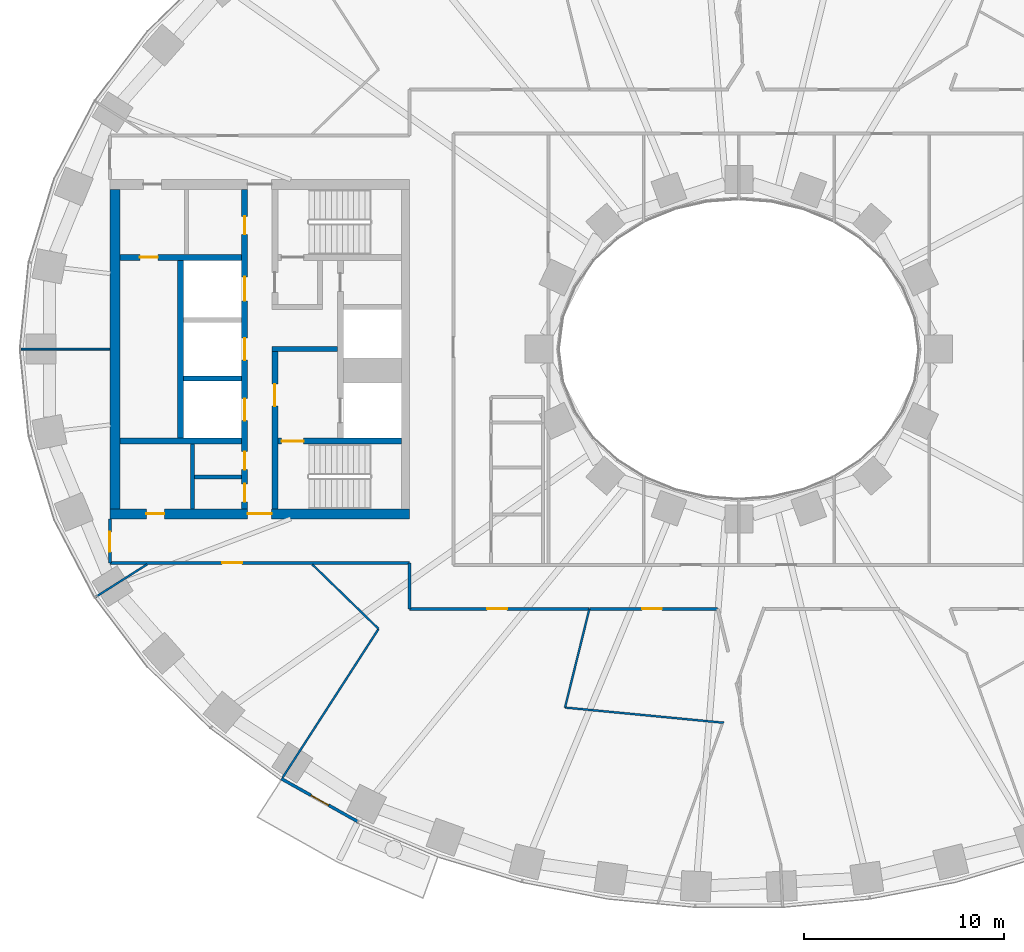
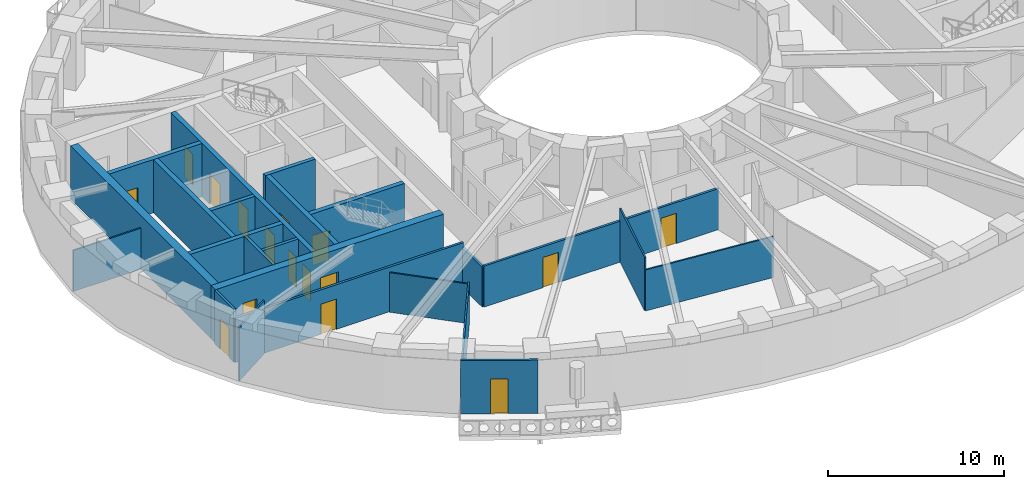
# One storey, part 3 of 15: 24 walls, 16 doors, 16 openings.
"""IFC4 building model written with IfcOpenShell, lengths in metres."""

from ifc_helpers import new_model, si_unit, direction, frame, frame_2d, origin, place, context, subcontext, project, spatial, rectangle, extrude, material, layer, layer_set, type_object, element, fill, save


model = new_model("IFC4")

# Units and contexts
model_context = context("Model", 3, precision=1e-05, world=origin(), true_north=direction((0.0, 1.0)))
body_context = subcontext(model_context, "Body", "Model", "MODEL_VIEW")
ifc_project = project(units=[si_unit("LENGTHUNIT", "METRE"), si_unit("AREAUNIT", "SQUARE_METRE"), si_unit("VOLUMEUNIT", "CUBIC_METRE"), si_unit("PLANEANGLEUNIT", "RADIAN"), si_unit("MASSUNIT", "GRAM", prefix="KILO")], contexts=[model_context])

# Site, building, storey
site_placement = place(None, origin())
site = spatial("IfcSite", under=ifc_project, at=site_placement, CompositionType="ELEMENT")
building_placement = place(site_placement, origin())
building = spatial("IfcBuilding", under=site, at=building_placement, Name="Noorbagh Ring Tower", CompositionType="ELEMENT")
storey_placement = place(building_placement, frame((0.0, 0.0, 50.5)))
storey = spatial("IfcBuildingStorey", under=building, at=storey_placement, Name="L10", CompositionType="ELEMENT", Elevation=50.5)

# Walls
ifc_material_1 = material(Name="Gypsum board on steel studs", Category="steel")
ifc_layer_1 = layer(ifc_material_1, 0.199951171875)
ifc_layer_set_1 = layer_set([ifc_layer_1], Name="Gypsum board on steel studs")
wall_type_1 = type_object("IfcWallType", Name="CORE-PARTITION-200", PredefinedType="PARTITIONING", material=ifc_layer_set_1)
wall_1_placement = place(storey_placement, frame((-27.35009765625, -8.0, 0.0), z_axis=(0.0, 0.0, 1.0), x_axis=(0.0, 1.0, 0.0)))
element("IfcWall", 1, at=wall_1_placement, inside=storey, type_object=wall_type_1, Name="Core partition W", PredefinedType="PARTITIONING", context=body_context, shape_type="SweptSolid", body=[
    extrude(rectangle(XDim=3.25, YDim=0.199951171875, at=frame_2d((1.625, 0.0))), origin(), (0.0, 0.0, 1.0), 3.699951171875),
])
wall_2_placement = place(storey_placement, frame((-24.89990234375, -6.39990234375, 0.0), z_axis=(0.0, 0.0, 1.0), x_axis=(-1.0, 0.0, 0.0)))
element("IfcWall", 2, at=wall_2_placement, inside=storey, type_object=wall_type_1, Name="Core partition W", PredefinedType="PARTITIONING", context=body_context, shape_type="SweptSolid", body=[
    extrude(rectangle(XDim=2.35009765625, YDim=0.199951171875, at=frame_2d((1.175048828125, 0.0))), origin(), (0.0, 0.0, 1.0), 3.699951171875),
])
ifc_material_2 = material(Name="Concrete C70/85", Category="concrete")
ifc_layer_2 = layer(ifc_material_2, 0.25)
ifc_layer_set_2 = layer_set([ifc_layer_2], Name="Concrete C70/85")
wall_type_2 = type_object("IfcWallType", Name="CORE-WALL-250-C70-85-EI120", PredefinedType="SHEAR", material=ifc_layer_set_2)
wall_3_placement = place(storey_placement, frame((-24.89990234375, -1.47509765625, 0.0), z_axis=(0.0, 0.0, 1.0), x_axis=(-1.0, 0.0, 0.0)))
element("IfcWall", 3, at=wall_3_placement, inside=storey, type_object=wall_type_2, Name="Core wall W", PredefinedType="SHEAR", context=body_context, shape_type="SweptSolid", body=[
    extrude(rectangle(XDim=2.900146484375, YDim=0.25, at=frame_2d((1.4501953125, 0.0))), origin(), (0.0, 0.0, 1.0), 3.699951171875),
])
ifc_material_3 = material(Name="Concrete C70/85", Category="concrete")
ifc_layer_3 = layer(ifc_material_3, 0.25)
ifc_layer_set_3 = layer_set([ifc_layer_3], Name="Concrete C70/85")
wall_type_3 = type_object("IfcWallType", Name="CORE-WALL-250-C70-85-EI240", PredefinedType="SHEAR", material=ifc_layer_set_3)
wall_4_placement = place(storey_placement, frame((-20.10009765625, 0.0, 0.0), z_axis=(0.0, 0.0, 1.0), x_axis=(-1.0, 0.0, 0.0)))
element("IfcWall", 4, at=wall_4_placement, inside=storey, type_object=wall_type_3, Name="Core wall W", PredefinedType="SHEAR", context=body_context, shape_type="SweptSolid", body=[
    extrude(rectangle(XDim=3.27978515625, YDim=0.25, at=frame_2d((1.639892578125, 0.0))), origin(), (0.0, 0.0, 1.0), 3.699951171875),
])
ifc_material_4 = material(Name="Concrete C70/85", Category="concrete")
ifc_layer_4 = layer(ifc_material_4, 0.300048828125)
ifc_layer_set_4 = layer_set([ifc_layer_4], Name="Concrete C70/85")
wall_type_4 = type_object("IfcWallType", Name="CORE-WALL-300-C70-85-EI120", PredefinedType="SHEAR", material=ifc_layer_set_4)
wall_5_placement = place(storey_placement, frame((-27.949951171875, -4.449951171875, 0.0), z_axis=(0.0, 0.0, 1.0), x_axis=(0.0, 1.0, 0.0)))
element("IfcWall", 5, at=wall_5_placement, inside=storey, type_object=wall_type_4, Name="Core wall W", PredefinedType="SHEAR", context=body_context, shape_type="SweptSolid", body=[
    extrude(rectangle(XDim=8.89990234375, YDim=0.300048828125, at=frame_2d((4.449951171875, 0.0))), origin(), (0.0, 0.0, 1.0), 3.699951171875),
])

# Wall, openings, doors
wall_6_placement = place(storey_placement, frame((-24.75, -8.0, 0.0), z_axis=(0.0, 0.0, 1.0), x_axis=(0.0, 1.0, 0.0)))
wall_6 = element("IfcWall", 6, at=wall_6_placement, inside=storey, type_object=wall_type_4, Name="Core wall W", PredefinedType="SHEAR", context=body_context, shape_type="SweptSolid", body=[
    extrude(rectangle(XDim=16.0, YDim=0.300048828125, at=frame_2d((8.0, 0.0))), origin(), (0.0, 0.0, 1.0), 3.699951171875),
])
opening_1_placement = place(wall_6_placement, frame((4.425048828125, 0.0, 0.0)))
opening_1 = element("IfcOpeningElement", 7, at=opening_1_placement, cuts=wall_6, Name="Opening L10-CW02", PredefinedType="OPENING", context=body_context, shape_type="SweptSolid", body=[
    extrude(rectangle(XDim=1.10009765625, YDim=2.10009765625, at=frame_2d((0.550048828125, 1.050048828125))), frame((0.0, 0.16015625, 0.0), z_axis=(0.0, -1.0, 0.0), x_axis=(1.0, 0.0, 0.0)), (0.0, 0.0, 1.0), 0.320068359375),
])
opening_2_placement = place(wall_6_placement, frame((7.449951171875, 0.0, 0.0)))
opening_2 = element("IfcOpeningElement", 8, at=opening_2_placement, cuts=wall_6, Name="Opening L10-CW03", PredefinedType="OPENING", context=body_context, shape_type="SweptSolid", body=[
    extrude(rectangle(XDim=1.10009765625, YDim=2.10009765625, at=frame_2d((0.550048828125, 1.050048828125))), frame((0.0, 0.16015625, 0.0), z_axis=(0.0, -1.0, 0.0), x_axis=(1.0, 0.0, 0.0)), (0.0, 0.0, 1.0), 0.320068359375),
])
opening_3_placement = place(wall_6_placement, frame((10.425048828125, 0.0, 0.0)))
opening_3 = element("IfcOpeningElement", 9, at=opening_3_placement, cuts=wall_6, Name="Opening L10-CW04", PredefinedType="OPENING", context=body_context, shape_type="SweptSolid", body=[
    extrude(rectangle(XDim=1.199951171875, YDim=2.10009765625, at=frame_2d((0.60009765625, 1.050048828125))), frame((0.0, 0.16015625, 0.0), z_axis=(0.0, -1.0, 0.0), x_axis=(1.0, 0.0, 0.0)), (0.0, 0.0, 1.0), 0.320068359375),
])
opening_4_placement = place(wall_6_placement, frame((13.75, 0.0, 0.0)))
opening_4 = element("IfcOpeningElement", 10, at=opening_4_placement, cuts=wall_6, Name="Opening L10-CW12", PredefinedType="OPENING", context=body_context, shape_type="SweptSolid", body=[
    extrude(rectangle(XDim=0.89990234375, YDim=2.10009765625, at=frame_2d((0.449951171875, 1.050048828125))), frame((0.0, 0.16015625, 0.0), z_axis=(0.0, -1.0, 0.0), x_axis=(1.0, 0.0, 0.0)), (0.0, 0.0, 1.0), 0.320068359375),
])
opening_5_placement = place(wall_6_placement, frame((1.97509765625, 0.0, 0.0)))
opening_5 = element("IfcOpeningElement", 11, at=opening_5_placement, cuts=wall_6, Name="Opening L10-CW14", PredefinedType="OPENING", context=body_context, shape_type="SweptSolid", body=[
    extrude(rectangle(XDim=0.89990234375, YDim=2.10009765625, at=frame_2d((0.449951171875, 1.050048828125))), frame((0.0, 0.16015625, 0.0), z_axis=(0.0, -1.0, 0.0), x_axis=(1.0, 0.0, 0.0)), (0.0, 0.0, 1.0), 0.320068359375),
])
opening_6_placement = place(wall_6_placement, frame((0.35009765625, 0.0, 0.0)))
opening_6 = element("IfcOpeningElement", 12, at=opening_6_placement, cuts=wall_6, Name="Opening L10-CW15", PredefinedType="OPENING", context=body_context, shape_type="SweptSolid", body=[
    extrude(rectangle(XDim=0.89990234375, YDim=2.10009765625, at=frame_2d((0.449951171875, 1.050048828125))), frame((0.0, 0.16015625, 0.0), z_axis=(0.0, -1.0, 0.0), x_axis=(1.0, 0.0, 0.0)), (0.0, 0.0, 1.0), 0.320068359375),
])
ifc_material_5 = material(Name="Steel door leaf", Category="steel")
door_type_1 = type_object("IfcDoorType", Name="CORE-DOOR-DROOM", OperationType="SINGLE_SWING_LEFT", PredefinedType="DOOR", material=ifc_material_5)
door_1_placement = place(opening_4_placement, origin())
door_1 = element("IfcDoor", 13, at=door_1_placement, inside=storey, type_object=door_type_1, Name="Core room door L10-CW12", OperationType="SINGLE_SWING_RIGHT", OverallHeight=2.10009765625, OverallWidth=0.89990234375, PredefinedType="DOOR", context=body_context, shape_type="SweptSolid", body=[
    extrude(rectangle(XDim=0.89990234375, YDim=2.10009765625, at=frame_2d((0.449951171875, 1.050048828125))), frame((0.0, 0.02490234375, 0.0), z_axis=(0.0, -1.0, 0.0), x_axis=(1.0, 0.0, 0.0)), (0.0, 0.0, 1.0), 0.050048828125),
])
fill(opening_4, door_1)
door_2_placement = place(opening_5_placement, origin())
door_2 = element("IfcDoor", 14, at=door_2_placement, inside=storey, type_object=door_type_1, Name="Core room door L10-CW14", OperationType="SINGLE_SWING_RIGHT", OverallHeight=2.10009765625, OverallWidth=0.89990234375, PredefinedType="DOOR", context=body_context, shape_type="SweptSolid", body=[
    extrude(rectangle(XDim=0.89990234375, YDim=2.10009765625, at=frame_2d((0.449951171875, 1.050048828125))), frame((0.0, 0.02490234375, 0.0), z_axis=(0.0, -1.0, 0.0), x_axis=(1.0, 0.0, 0.0)), (0.0, 0.0, 1.0), 0.050048828125),
])
fill(opening_5, door_2)
door_3_placement = place(opening_6_placement, origin())
door_3 = element("IfcDoor", 15, at=door_3_placement, inside=storey, type_object=door_type_1, Name="Core room door L10-CW15", OperationType="SINGLE_SWING_LEFT", OverallHeight=2.10009765625, OverallWidth=0.89990234375, PredefinedType="DOOR", context=body_context, shape_type="SweptSolid", body=[
    extrude(rectangle(XDim=0.89990234375, YDim=2.10009765625, at=frame_2d((0.449951171875, 1.050048828125))), frame((0.0, 0.02490234375, 0.0), z_axis=(0.0, -1.0, 0.0), x_axis=(1.0, 0.0, 0.0)), (0.0, 0.0, 1.0), 0.050048828125),
])
fill(opening_6, door_3)
ifc_material_6 = material(Name="Steel door leaf", Category="steel")
door_type_2 = type_object("IfcDoorType", Name="CORE-DOOR-LD", OperationType="DOUBLE_DOOR_SLIDING", PredefinedType="DOOR", material=ifc_material_6)
door_4_placement = place(opening_1_placement, origin())
door_4 = element("IfcDoor", 16, at=door_4_placement, inside=storey, type_object=door_type_2, Name="Landing door LR1 L10-CW02", OperationType="DOUBLE_DOOR_SLIDING", OverallHeight=2.10009765625, OverallWidth=1.10009765625, PredefinedType="DOOR", context=body_context, shape_type="SweptSolid", body=[
    extrude(rectangle(XDim=1.10009765625, YDim=2.10009765625, at=frame_2d((0.550048828125, 1.050048828125))), frame((0.0, 0.02490234375, 0.0), z_axis=(0.0, -1.0, 0.0), x_axis=(1.0, 0.0, 0.0)), (0.0, 0.0, 1.0), 0.050048828125),
])
fill(opening_1, door_4)
door_5_placement = place(opening_2_placement, origin())
door_5 = element("IfcDoor", 17, at=door_5_placement, inside=storey, type_object=door_type_2, Name="Landing door LR2 L10-CW03", OperationType="DOUBLE_DOOR_SLIDING", OverallHeight=2.10009765625, OverallWidth=1.10009765625, PredefinedType="DOOR", context=body_context, shape_type="SweptSolid", body=[
    extrude(rectangle(XDim=1.10009765625, YDim=2.10009765625, at=frame_2d((0.550048828125, 1.050048828125))), frame((0.0, 0.02490234375, 0.0), z_axis=(0.0, -1.0, 0.0), x_axis=(1.0, 0.0, 0.0)), (0.0, 0.0, 1.0), 0.050048828125),
])
fill(opening_2, door_5)
ifc_material_7 = material(Name="Steel door leaf", Category="steel")
door_type_3 = type_object("IfcDoorType", Name="CORE-DOOR-LDW", OperationType="DOUBLE_DOOR_SLIDING", PredefinedType="DOOR", material=ifc_material_7)
door_6_placement = place(opening_3_placement, origin())
door_6 = element("IfcDoor", 18, at=door_6_placement, inside=storey, type_object=door_type_3, Name="Landing door SV1 L10-CW04", OperationType="DOUBLE_DOOR_SLIDING", OverallHeight=2.10009765625, OverallWidth=1.199951171875, PredefinedType="DOOR", context=body_context, shape_type="SweptSolid", body=[
    extrude(rectangle(XDim=1.199951171875, YDim=2.10009765625, at=frame_2d((0.60009765625, 1.050048828125))), frame((0.0, 0.02490234375, 0.0), z_axis=(0.0, -1.0, 0.0), x_axis=(1.0, 0.0, 0.0)), (0.0, 0.0, 1.0), 0.050048828125),
])
fill(opening_3, door_6)

# Wall, opening, door
ifc_material_8 = material(Name="Concrete C70/85", Category="concrete")
ifc_layer_5 = layer(ifc_material_8, 0.300048828125)
ifc_layer_set_5 = layer_set([ifc_layer_5], Name="Concrete C70/85")
wall_type_5 = type_object("IfcWallType", Name="CORE-WALL-300-C70-85-EI240", PredefinedType="SHEAR", material=ifc_layer_set_5)
wall_7_placement = place(storey_placement, frame((-24.89990234375, 4.60009765625, 0.0), z_axis=(0.0, 0.0, 1.0), x_axis=(-1.0, 0.0, 0.0)))
wall_7 = element("IfcWall", 19, at=wall_7_placement, inside=storey, type_object=wall_type_5, Name="Core wall W", PredefinedType="SHEAR", context=body_context, shape_type="SweptSolid", body=[
    extrude(rectangle(XDim=6.10009765625, YDim=0.300048828125, at=frame_2d((3.050048828125, 0.0))), origin(), (0.0, 0.0, 1.0), 3.699951171875),
])
opening_7_placement = place(wall_7_placement, frame((4.199951171875, 0.0, 0.0)))
opening_7 = element("IfcOpeningElement", 20, at=opening_7_placement, cuts=wall_7, Name="Opening L10-CW17", PredefinedType="OPENING", context=body_context, shape_type="SweptSolid", body=[
    extrude(rectangle(XDim=0.89990234375, YDim=2.10009765625, at=frame_2d((0.449951171875, 1.050048828125))), frame((0.0, 0.16015625, 0.0), z_axis=(0.0, -1.0, 0.0), x_axis=(1.0, 0.0, 0.0)), (0.0, 0.0, 1.0), 0.320068359375),
])
door_7_placement = place(opening_7_placement, origin())
door_7 = element("IfcDoor", 21, at=door_7_placement, inside=storey, type_object=door_type_1, Name="Core room door L10-CW17", OperationType="SINGLE_SWING_LEFT", OverallHeight=2.10009765625, OverallWidth=0.89990234375, PredefinedType="DOOR", context=body_context, shape_type="SweptSolid", body=[
    extrude(rectangle(XDim=0.89990234375, YDim=2.10009765625, at=frame_2d((0.449951171875, 1.050048828125))), frame((0.0, 0.02490234375, 0.0), z_axis=(0.0, -1.0, 0.0), x_axis=(1.0, 0.0, 0.0)), (0.0, 0.0, 1.0), 0.050048828125),
])
fill(opening_7, door_7)

# Wall
wall_8_placement = place(storey_placement, frame((-24.89990234375, -4.60009765625, 0.0), z_axis=(0.0, 0.0, 1.0), x_axis=(-1.0, 0.0, 0.0)))
element("IfcWall", 22, at=wall_8_placement, inside=storey, type_object=wall_type_5, Name="Core wall W", PredefinedType="SHEAR", context=body_context, shape_type="SweptSolid", body=[
    extrude(rectangle(XDim=6.10009765625, YDim=0.300048828125, at=frame_2d((3.050048828125, 0.0))), origin(), (0.0, 0.0, 1.0), 3.699951171875),
])

# Wall, opening, door
wall_9_placement = place(storey_placement, frame((-23.22998046875, -8.0, 0.0), z_axis=(0.0, 0.0, 1.0), x_axis=(0.0, 1.0, 0.0)))
wall_9 = element("IfcWall", 23, at=wall_9_placement, inside=storey, type_object=wall_type_5, Name="Core wall W", PredefinedType="SHEAR", context=body_context, shape_type="SweptSolid", body=[
    extrude(rectangle(XDim=7.875, YDim=0.300048828125, at=frame_2d((3.9375, 0.0))), origin(), (0.0, 0.0, 1.0), 3.699951171875),
])
opening_8_placement = place(wall_9_placement, frame((5.14990234375, 0.0, 0.0)))
opening_8 = element("IfcOpeningElement", 24, at=opening_8_placement, cuts=wall_9, Name="Opening L10-CW07", PredefinedType="OPENING", context=body_context, shape_type="SweptSolid", body=[
    extrude(rectangle(XDim=1.10009765625, YDim=2.10009765625, at=frame_2d((0.550048828125, 1.050048828125))), frame((0.0, 0.16015625, 0.0), z_axis=(0.0, -1.0, 0.0), x_axis=(1.0, 0.0, 0.0)), (0.0, 0.0, 1.0), 0.320068359375),
])
ifc_material_9 = material(Name="Steel door leaf", Category="steel")
door_type_4 = type_object("IfcDoorType", Name="CORE-DOOR-DFF", OperationType="SINGLE_SWING_LEFT", PredefinedType="DOOR", material=ifc_material_9)
door_8_placement = place(opening_8_placement, origin())
door_8 = element("IfcDoor", 25, at=door_8_placement, inside=storey, type_object=door_type_4, Name="Firefighting lobby door L10-CW07", OperationType="SINGLE_SWING_LEFT", OverallHeight=2.10009765625, OverallWidth=1.10009765625, PredefinedType="DOOR", context=body_context, shape_type="SweptSolid", body=[
    extrude(rectangle(XDim=1.10009765625, YDim=2.10009765625, at=frame_2d((0.550048828125, 1.050048828125))), frame((0.0, 0.02490234375, 0.0), z_axis=(0.0, -1.0, 0.0), x_axis=(1.0, 0.0, 0.0)), (0.0, 0.0, 1.0), 0.050048828125),
])
fill(opening_8, door_8)

wall_10_placement = place(storey_placement, frame((-16.89990234375, -4.60009765625, 0.0), z_axis=(0.0, 0.0, 1.0), x_axis=(-1.0, 0.0, 0.0)))
wall_10 = element("IfcWall", 26, at=wall_10_placement, inside=storey, type_object=wall_type_5, Name="Core wall W", PredefinedType="SHEAR", context=body_context, shape_type="SweptSolid", body=[
    extrude(rectangle(XDim=6.18017578125, YDim=0.300048828125, at=frame_2d((3.090087890625, 0.0))), origin(), (0.0, 0.0, 1.0), 3.699951171875),
])
opening_9_placement = place(wall_10_placement, frame((4.89990234375, 0.0, 0.0)))
opening_9 = element("IfcOpeningElement", 27, at=opening_9_placement, cuts=wall_10, Name="Opening L10-CW06", PredefinedType="OPENING", context=body_context, shape_type="SweptSolid", body=[
    extrude(rectangle(XDim=1.10009765625, YDim=2.10009765625, at=frame_2d((0.550048828125, 1.050048828125))), frame((0.0, 0.16015625, 0.0), z_axis=(0.0, -1.0, 0.0), x_axis=(1.0, 0.0, 0.0)), (0.0, 0.0, 1.0), 0.320068359375),
])
ifc_material_10 = material(Name="Steel door leaf", Category="steel")
door_type_5 = type_object("IfcDoorType", Name="CORE-DOOR-DSTAIR", OperationType="SINGLE_SWING_LEFT", PredefinedType="DOOR", material=ifc_material_10)
door_9_placement = place(opening_9_placement, origin())
door_9 = element("IfcDoor", 28, at=door_9_placement, inside=storey, type_object=door_type_5, Name="Stair door ST2 L10-CW06", OperationType="SINGLE_SWING_LEFT", OverallHeight=2.10009765625, OverallWidth=1.10009765625, PredefinedType="DOOR", context=body_context, shape_type="SweptSolid", body=[
    extrude(rectangle(XDim=1.10009765625, YDim=2.10009765625, at=frame_2d((0.550048828125, 1.050048828125))), frame((0.0, 0.02490234375, 0.0), z_axis=(0.0, -1.0, 0.0), x_axis=(1.0, 0.0, 0.0)), (0.0, 0.0, 1.0), 0.050048828125),
])
fill(opening_9, door_9)

# Wall, openings, doors
ifc_material_11 = material(Name="Concrete C70/85", Category="concrete")
ifc_layer_6 = layer(ifc_material_11, 0.5)
ifc_layer_set_6 = layer_set([ifc_layer_6], Name="Concrete C70/85")
wall_type_6 = type_object("IfcWallType", Name="CORE-WALL-500-C70-85-EI240", PredefinedType="SHEAR", material=ifc_layer_set_6)
wall_11_placement = place(storey_placement, frame((-16.5, -8.25, 0.0), z_axis=(0.0, 0.0, 1.0), x_axis=(-1.0, 0.0, 0.0)))
wall_11 = element("IfcWall", 29, at=wall_11_placement, inside=storey, type_object=wall_type_6, Name="Core wall W", PredefinedType="SHEAR", context=body_context, shape_type="SweptSolid", body=[
    extrude(rectangle(XDim=15.0, YDim=0.5, at=frame_2d((7.5, 0.0))), origin(), (0.0, 0.0, 1.0), 3.699951171875),
])
opening_10_placement = place(wall_11_placement, frame((6.89990234375, 0.0, 0.0)))
opening_10 = element("IfcOpeningElement", 30, at=opening_10_placement, cuts=wall_11, Name="Opening L10-CW10", PredefinedType="OPENING", context=body_context, shape_type="SweptSolid", body=[
    extrude(rectangle(XDim=1.199951171875, YDim=2.10009765625, at=frame_2d((0.60009765625, 1.050048828125))), frame((0.0, 0.260009765625, 0.0), z_axis=(0.0, -1.0, 0.0), x_axis=(1.0, 0.0, 0.0)), (0.0, 0.0, 1.0), 0.52001953125),
])
opening_11_placement = place(wall_11_placement, frame((12.27490234375, 0.0, 0.0)))
opening_11 = element("IfcOpeningElement", 31, at=opening_11_placement, cuts=wall_11, Name="Opening L10-CW16", PredefinedType="OPENING", context=body_context, shape_type="SweptSolid", body=[
    extrude(rectangle(XDim=0.89990234375, YDim=2.10009765625, at=frame_2d((0.449951171875, 1.050048828125))), frame((0.0, 0.260009765625, 0.0), z_axis=(0.0, -1.0, 0.0), x_axis=(1.0, 0.0, 0.0)), (0.0, 0.0, 1.0), 0.52001953125),
])
door_10_placement = place(opening_11_placement, origin())
door_10 = element("IfcDoor", 32, at=door_10_placement, inside=storey, type_object=door_type_1, Name="Core room door L10-CW16", OperationType="SINGLE_SWING_LEFT", OverallHeight=2.10009765625, OverallWidth=0.89990234375, PredefinedType="DOOR", context=body_context, shape_type="SweptSolid", body=[
    extrude(rectangle(XDim=0.89990234375, YDim=2.10009765625, at=frame_2d((0.449951171875, 1.050048828125))), frame((0.0, 0.02490234375, 0.0), z_axis=(0.0, -1.0, 0.0), x_axis=(1.0, 0.0, 0.0)), (0.0, 0.0, 1.0), 0.050048828125),
])
fill(opening_11, door_10)
ifc_material_12 = material(Name="Steel door leaf", Category="steel")
door_type_6 = type_object("IfcDoorType", Name="CORE-DOOR-PORT", OperationType="DOUBLE_DOOR_DOUBLE_SWING", PredefinedType="DOOR", material=ifc_material_12)
door_11_placement = place(opening_10_placement, origin())
door_11 = element("IfcDoor", 33, at=door_11_placement, inside=storey, type_object=door_type_6, Name="Core entrance door L10-CW10", OperationType="DOUBLE_DOOR_DOUBLE_SWING", OverallHeight=2.10009765625, OverallWidth=1.199951171875, PredefinedType="DOOR", context=body_context, shape_type="SweptSolid", body=[
    extrude(rectangle(XDim=1.199951171875, YDim=2.10009765625, at=frame_2d((0.60009765625, 1.050048828125))), frame((0.0, 0.02490234375, 0.0), z_axis=(0.0, -1.0, 0.0), x_axis=(1.0, 0.0, 0.0)), (0.0, 0.0, 1.0), 0.050048828125),
])
fill(opening_10, door_11)

# Wall
wall_12_placement = place(storey_placement, frame((-31.25, -8.0, 0.0), z_axis=(0.0, 0.0, 1.0), x_axis=(0.0, 1.0, 0.0)))
element("IfcWall", 34, at=wall_12_placement, inside=storey, type_object=wall_type_6, Name="Core wall W", PredefinedType="SHEAR", context=body_context, shape_type="SweptSolid", body=[
    extrude(rectangle(XDim=16.0, YDim=0.5, at=frame_2d((8.0, 0.0))), origin(), (0.0, 0.0, 1.0), 3.699951171875),
])

# Wall, opening, door
ifc_material_13 = material(Name="Gypsum board on steel studs", Category="steel")
ifc_layer_7 = layer(ifc_material_13, 0.14990234375)
ifc_layer_set_7 = layer_set([ifc_layer_7], Name="Gypsum board on steel studs")
wall_type_7 = type_object("IfcWallType", Name="CORRIDOR PARTITION 150 EI 30", PredefinedType="PARTITIONING", material=ifc_layer_set_7)
wall_13_placement = place(storey_placement, frame((-31.5, -10.699951171875, 0.0), z_axis=(0.0, 0.0, 1.0), x_axis=(0.0, 1.0, 0.0)))
wall_13 = element("IfcWall", 35, at=wall_13_placement, inside=storey, type_object=wall_type_7, Name="L10/wall/P04", PredefinedType="PARTITIONING", context=body_context, shape_type="SweptSolid", body=[
    extrude(rectangle(XDim=2.199951171875, YDim=0.14990234375, at=frame_2d((1.10009765625, 0.0))), origin(), (0.0, 0.0, 1.0), 3.699951171875),
])
opening_12_placement = place(wall_13_placement, frame((0.550048828125, 0.0, 0.0)))
opening_12 = element("IfcOpeningElement", 36, at=opening_12_placement, cuts=wall_13, Name="Opening D1", PredefinedType="OPENING", context=body_context, shape_type="SweptSolid", body=[
    extrude(rectangle(XDim=1.0, YDim=2.10009765625, at=frame_2d((0.5, 1.050048828125))), frame((0.0, 0.0849609375, 0.0), z_axis=(0.0, -1.0, 0.0), x_axis=(1.0, 0.0, 0.0)), (0.0, 0.0, 1.0), 0.169921875),
])
ifc_material_14 = material(Name="Timber, painted", Category="wood")
door_type_7 = type_object("IfcDoorType", Name="DOOR 1000 X 2100 FD30", OperationType="SINGLE_SWING_LEFT", PredefinedType="DOOR", material=ifc_material_14)
door_12_placement = place(opening_12_placement, origin())
door_12 = element("IfcDoor", 37, at=door_12_placement, inside=storey, type_object=door_type_7, Name="L10-D06", OperationType="SINGLE_SWING_RIGHT", OverallHeight=2.10009765625, OverallWidth=1.0, PredefinedType="DOOR", context=body_context, shape_type="SweptSolid", body=[
    extrude(rectangle(XDim=1.0, YDim=2.10009765625, at=frame_2d((0.5, 1.050048828125))), frame((0.0, 0.02490234375, 0.0), z_axis=(0.0, -1.0, 0.0), x_axis=(1.0, 0.0, 0.0)), (0.0, 0.0, 1.0), 0.050048828125),
])
fill(opening_12, door_12)

wall_14_placement = place(storey_placement, frame((-31.5, -10.699951171875, 0.0), z_axis=(0.0, 0.0, 1.0), x_axis=(1.0, 0.0, 0.0)))
wall_14 = element("IfcWall", 38, at=wall_14_placement, inside=storey, type_object=wall_type_7, Name="L10/wall/P05", PredefinedType="PARTITIONING", context=body_context, shape_type="SweptSolid", body=[
    extrude(rectangle(XDim=15.0, YDim=0.14990234375, at=frame_2d((7.5, 0.0))), origin(), (0.0, 0.0, 1.0), 3.10009765625),
])
opening_13_placement = place(wall_14_placement, frame((5.62890625, 0.0, 0.0)))
opening_13 = element("IfcOpeningElement", 39, at=opening_13_placement, cuts=wall_14, Name="Opening D1", PredefinedType="OPENING", context=body_context, shape_type="SweptSolid", body=[
    extrude(rectangle(XDim=1.0, YDim=2.10009765625, at=frame_2d((0.5, 1.050048828125))), frame((0.0, 0.0849609375, 0.0), z_axis=(0.0, -1.0, 0.0), x_axis=(1.0, 0.0, 0.0)), (0.0, 0.0, 1.0), 0.169921875),
])
door_13_placement = place(opening_13_placement, origin())
door_13 = element("IfcDoor", 40, at=door_13_placement, inside=storey, type_object=door_type_7, Name="L10-D08", OperationType="SINGLE_SWING_RIGHT", OverallHeight=2.10009765625, OverallWidth=1.0, PredefinedType="DOOR", context=body_context, shape_type="SweptSolid", body=[
    extrude(rectangle(XDim=1.0, YDim=2.10009765625, at=frame_2d((0.5, 1.050048828125))), frame((0.0, 0.02490234375, 0.0), z_axis=(0.0, -1.0, 0.0), x_axis=(1.0, 0.0, 0.0)), (0.0, 0.0, 1.0), 0.050048828125),
])
fill(opening_13, door_13)

# Wall
wall_15_placement = place(storey_placement, frame((-16.5, -13.0, 0.0), z_axis=(0.0, 0.0, 1.0), x_axis=(0.0, 1.0, 0.0)))
element("IfcWall", 41, at=wall_15_placement, inside=storey, type_object=wall_type_7, Name="L10/wall/P12", PredefinedType="PARTITIONING", context=body_context, shape_type="SweptSolid", body=[
    extrude(rectangle(XDim=2.300048828125, YDim=0.14990234375, at=frame_2d((1.14990234375, 0.0))), origin(), (0.0, 0.0, 1.0), 2.75),
])

# Wall, opening, door
wall_16_placement = place(storey_placement, frame((-16.5, -13.0, 0.0), z_axis=(0.0, 0.0, 1.0), x_axis=(1.0, 0.0, 0.0)))
wall_16 = element("IfcWall", 42, at=wall_16_placement, inside=storey, type_object=wall_type_7, Name="L10/wall/P13", PredefinedType="PARTITIONING", context=body_context, shape_type="SweptSolid", body=[
    extrude(rectangle(XDim=9.0009765625, YDim=0.14990234375, at=frame_2d((4.50048828125, 0.0))), origin(), (0.0, 0.0, 1.0), 2.85009765625),
])
opening_14_placement = place(wall_16_placement, frame((3.89990234375, 0.0, 0.0)))
opening_14 = element("IfcOpeningElement", 43, at=opening_14_placement, cuts=wall_16, Name="Opening D1", PredefinedType="OPENING", context=body_context, shape_type="SweptSolid", body=[
    extrude(rectangle(XDim=1.0, YDim=2.10009765625, at=frame_2d((0.5, 1.050048828125))), frame((0.0, 0.0849609375, 0.0), z_axis=(0.0, -1.0, 0.0), x_axis=(1.0, 0.0, 0.0)), (0.0, 0.0, 1.0), 0.169921875),
])
door_14_placement = place(opening_14_placement, origin())
door_14 = element("IfcDoor", 44, at=door_14_placement, inside=storey, type_object=door_type_7, Name="L10-D10", OperationType="SINGLE_SWING_RIGHT", OverallHeight=2.10009765625, OverallWidth=1.0, PredefinedType="DOOR", context=body_context, shape_type="SweptSolid", body=[
    extrude(rectangle(XDim=1.0, YDim=2.10009765625, at=frame_2d((0.5, 1.050048828125))), frame((0.0, 0.02490234375, 0.0), z_axis=(0.0, -1.0, 0.0), x_axis=(1.0, 0.0, 0.0)), (0.0, 0.0, 1.0), 0.050048828125),
])
fill(opening_14, door_14)

wall_17_placement = place(storey_placement, frame((-7.48291015625, -13.0, 0.0), z_axis=(0.0, 0.0, 1.0), x_axis=(1.0, 0.0, 0.0)))
wall_17 = element("IfcWall", 45, at=wall_17_placement, inside=storey, type_object=wall_type_7, Name="L10/wall/P32", PredefinedType="PARTITIONING", context=body_context, shape_type="SweptSolid", body=[
    extrude(rectangle(XDim=6.421875, YDim=0.14990234375, at=frame_2d((3.2109375, 0.0))), origin(), (0.0, 0.0, 1.0), 2.85009765625),
])
opening_15_placement = place(wall_17_placement, frame((2.634033203125, 0.0, 0.0)))
opening_15 = element("IfcOpeningElement", 46, at=opening_15_placement, cuts=wall_17, Name="Opening D1", PredefinedType="OPENING", context=body_context, shape_type="SweptSolid", body=[
    extrude(rectangle(XDim=1.0, YDim=2.10009765625, at=frame_2d((0.5, 1.050048828125))), frame((0.0, 0.0849609375, 0.0), z_axis=(0.0, -1.0, 0.0), x_axis=(1.0, 0.0, 0.0)), (0.0, 0.0, 1.0), 0.169921875),
])
door_15_placement = place(opening_15_placement, origin())
door_15 = element("IfcDoor", 47, at=door_15_placement, inside=storey, type_object=door_type_7, Name="L10-D12", OperationType="SINGLE_SWING_RIGHT", OverallHeight=2.10009765625, OverallWidth=1.0, PredefinedType="DOOR", context=body_context, shape_type="SweptSolid", body=[
    extrude(rectangle(XDim=1.0, YDim=2.10009765625, at=frame_2d((0.5, 1.050048828125))), frame((0.0, 0.02490234375, 0.0), z_axis=(0.0, -1.0, 0.0), x_axis=(1.0, 0.0, 0.0)), (0.0, 0.0, 1.0), 0.050048828125),
])
fill(opening_15, door_15)

ifc_material_15 = material(Name="Insulated aluminium clad panel", Category="aluminium")
ifc_layer_8 = layer(ifc_material_15, 0.14990234375)
ifc_layer_set_8 = layer_set([ifc_layer_8], Name="Insulated aluminium clad panel")
wall_type_8 = type_object("IfcWallType", Name="ENV-WALL-DOOR", PredefinedType="STANDARD", material=ifc_layer_set_8)
wall_18_placement = place(storey_placement, frame((-22.913330078125, -21.508544921875, 0.0), z_axis=(0.0, 0.0, 1.0), x_axis=(0.872046572975, -0.489422899509, 0.0)))
wall_18 = element("IfcWall", 48, at=wall_18_placement, inside=storey, type_object=wall_type_8, Name="Balcony door wall chord 30", PredefinedType="STANDARD", context=body_context, shape_type="SweptSolid", body=[
    extrude(rectangle(XDim=4.425537109375, YDim=0.14990234375, at=frame_2d((2.212890625, 0.0))), origin(), (0.0, 0.0, 1.0), 3.699951171875),
])
opening_16_placement = place(wall_18_placement, frame((1.712646484375, 0.0, 0.0)))
opening_16 = element("IfcOpeningElement", 49, at=opening_16_placement, cuts=wall_18, Name="Opening D-BL", PredefinedType="OPENING", context=body_context, shape_type="SweptSolid", body=[
    extrude(rectangle(XDim=1.0, YDim=2.39990234375, at=frame_2d((0.5, 1.199951171875))), frame((0.0, 0.0849609375, 0.0), z_axis=(0.0, -1.0, 0.0), x_axis=(1.0, 0.0, 0.0)), (0.0, 0.0, 1.0), 0.169921875),
])
ifc_material_16 = material(Name="Aluminium and glass", Category="aluminium")
door_type_8 = type_object("IfcDoorType", Name="ENV-DOOR-BALCONY", OperationType="SINGLE_SWING_LEFT", PredefinedType="DOOR", material=ifc_material_16)
door_16_placement = place(opening_16_placement, origin())
door_16 = element("IfcDoor", 50, at=door_16_placement, inside=storey, type_object=door_type_8, Name="Balcony door chord 30", OperationType="SINGLE_SWING_LEFT", OverallHeight=2.39990234375, OverallWidth=1.0, PredefinedType="DOOR", context=body_context, shape_type="SweptSolid", body=[
    extrude(rectangle(XDim=1.0, YDim=2.39990234375, at=frame_2d((0.5, 1.199951171875))), frame((0.0, 0.02490234375, 0.0), z_axis=(0.0, -1.0, 0.0), x_axis=(1.0, 0.0, 0.0)), (0.0, 0.0, 1.0), 0.050048828125),
])
fill(opening_16, door_16)

# Walls
ifc_material_17 = material(Name="Gypsum board on steel studs", Category="steel")
ifc_layer_9 = layer(ifc_material_17, 0.10009765625)
ifc_layer_set_9 = layer_set([ifc_layer_9], Name="Gypsum board on steel studs")
wall_type_9 = type_object("IfcWallType", Name="PARTITION 100 GYPSUM", PredefinedType="PARTITIONING", material=ifc_layer_set_9)
wall_19_placement = place(storey_placement, frame((-35.948974609375, 0.0, 0.0), z_axis=(0.0, 0.0, 1.0), x_axis=(1.0, 0.0, 0.0)))
element("IfcWall", 51, at=wall_19_placement, inside=storey, type_object=wall_type_9, Name="L10/wall/P01", PredefinedType="PARTITIONING", context=body_context, shape_type="SweptSolid", body=[
    extrude(rectangle(XDim=4.448974609375, YDim=0.10009765625, at=frame_2d((2.224609375, 0.0))), origin(), (0.0, 0.0, 1.0), 2.85009765625),
])
wall_20_placement = place(storey_placement, frame((-32.2119140625, -12.407958984375, 0.0), z_axis=(0.0, 0.0, 1.0), x_axis=(0.844810627195, 0.535065420467, 0.0)))
element("IfcWall", 52, at=wall_20_placement, inside=storey, type_object=wall_type_9, Name="L10/wall/P02", PredefinedType="PARTITIONING", context=body_context, shape_type="SweptSolid", body=[
    extrude(rectangle(XDim=3.0478515625, YDim=0.10009765625, at=frame_2d((1.52392578125, 0.0))), origin(), (0.0, 0.0, 1.0), 3.699951171875),
])
wall_21_placement = place(storey_placement, frame((-22.905029296875, -21.5419921875, 0.0), z_axis=(0.0, 0.0, 1.0), x_axis=(0.542241597628, 0.840222619192, 0.0)))
element("IfcWall", 53, at=wall_21_placement, inside=storey, type_object=wall_type_9, Name="L10/wall/P08", PredefinedType="PARTITIONING", context=body_context, shape_type="SweptSolid", body=[
    extrude(rectangle(XDim=8.966552734375, YDim=0.10009765625, at=frame_2d((4.4833984375, 0.0))), origin(), (0.0, 0.0, 1.0), 2.85009765625),
])
wall_22_placement = place(storey_placement, frame((-21.362060546875, -10.778076171875, 0.0), z_axis=(0.0, 0.0, 1.0), x_axis=(0.716869759063, -0.697207105917, 0.0)))
element("IfcWall", 54, at=wall_22_placement, inside=storey, type_object=wall_type_9, Name="L10/wall/P10", PredefinedType="PARTITIONING", context=body_context, shape_type="SweptSolid", body=[
    extrude(rectangle(XDim=4.63134765625, YDim=0.10009765625, at=frame_2d((2.315673828125, 0.0))), origin(), (0.0, 0.0, 1.0), 2.75),
])
wall_23_placement = place(storey_placement, frame((-8.7041015625, -17.946044921875, 0.0), z_axis=(0.0, 0.0, 1.0), x_axis=(0.239704393154, 0.970845921814, 0.0)))
element("IfcWall", 55, at=wall_23_placement, inside=storey, type_object=wall_type_9, Name="L10/wall/P28", PredefinedType="PARTITIONING", context=body_context, shape_type="SweptSolid", body=[
    extrude(rectangle(XDim=5.094482421875, YDim=0.10009765625, at=frame_2d((2.54736328125, 0.0))), origin(), (0.0, 0.0, 1.0), 3.699951171875),
])
wall_24_placement = place(storey_placement, frame((-8.7041015625, -17.946044921875, 0.0), z_axis=(0.0, 0.0, 1.0), x_axis=(0.995451268437, -0.095272095422, 0.0)))
element("IfcWall", 56, at=wall_24_placement, inside=storey, type_object=wall_type_9, Name="L10/wall/P29", PredefinedType="PARTITIONING", context=body_context, shape_type="SweptSolid", body=[
    extrude(rectangle(XDim=7.987548828125, YDim=0.10009765625, at=frame_2d((3.99365234375, 0.0))), origin(), (0.0, 0.0, 1.0), 2.85009765625),
])

save(model, "model.ifc")
